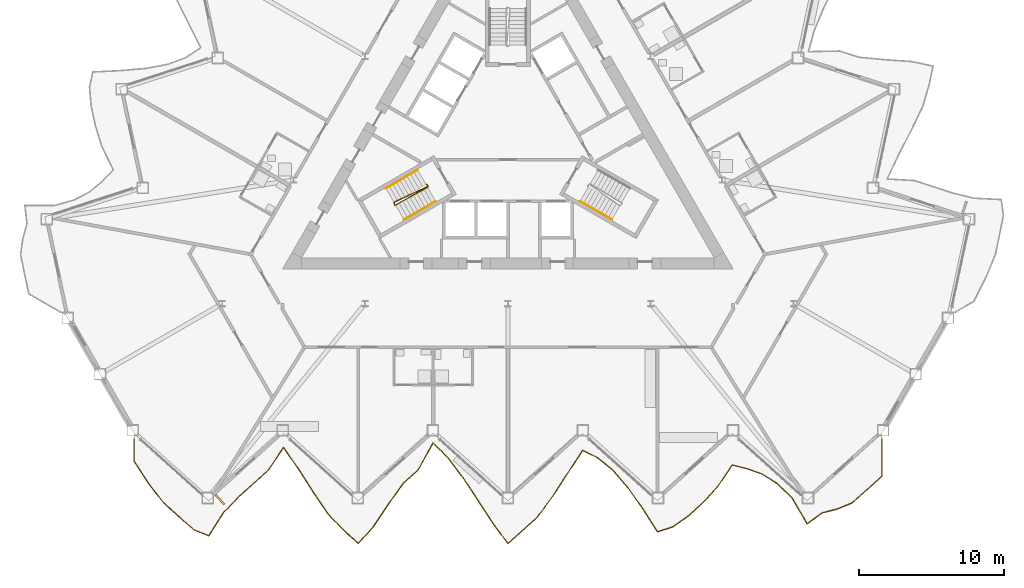
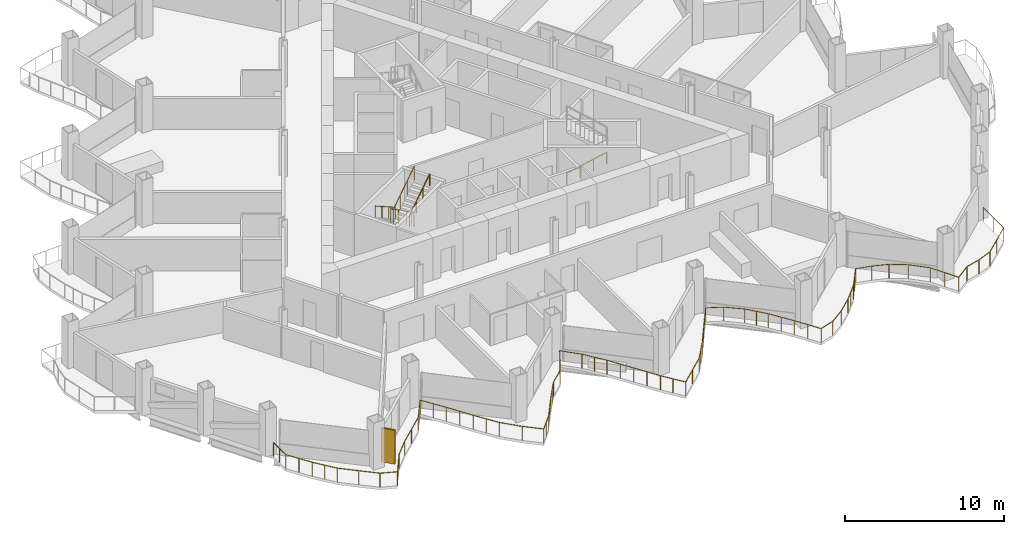
# One storey, part 20 of 24: 5 railings, 1 shading device.
"""IFC4 building model written with IfcOpenShell, lengths in metres."""

from ifc_helpers import new_model, si_unit, direction, frame, origin, origin_2d, place, context, subcontext, project, spatial, rectangle, circle, extrude, material, layer, layer_set, type_object, element, save


model = new_model("IFC4")

# Units and contexts
model_context = context("Model", 3, precision=1e-05, world=origin(), true_north=direction((0.0, 1.0)))
body_context = subcontext(model_context, "Body", "Model", "MODEL_VIEW")
ifc_project = project(units=[si_unit("LENGTHUNIT", "METRE"), si_unit("AREAUNIT", "SQUARE_METRE"), si_unit("VOLUMEUNIT", "CUBIC_METRE"), si_unit("PLANEANGLEUNIT", "RADIAN"), si_unit("MASSUNIT", "GRAM", prefix="KILO")], contexts=[model_context])

# Site, building, storey
site_placement = place(None, origin())
site = spatial("IfcSite", under=ifc_project, at=site_placement, CompositionType="ELEMENT")
building_placement = place(site_placement, origin())
building = spatial("IfcBuilding", under=site, at=building_placement, Name="Cormorant Prow Tower", CompositionType="ELEMENT")
storey_placement = place(building_placement, frame((0.0, 0.0, 201.60009765625)))
storey = spatial("IfcBuildingStorey", under=building, at=storey_placement, Name="L44", CompositionType="ELEMENT", Elevation=201.60009765625)

# Railings
ifc_material_1 = material(Name="Aluminium 6063-T6", Category="aluminium")
railing_type_1 = type_object("IfcRailingType", Name="Balcony guard 1100", PredefinedType="GUARDRAIL", material=ifc_material_1)
railing_1_placement = place(storey_placement, frame((-25.739990234375, -20.659912109375, 0.0)))
element("IfcRailing", 1, at=railing_1_placement, inside=storey, type_object=railing_type_1, Name="Balcony guard S", PredefinedType="GUARDRAIL", context=body_context, shape_type="SweptSolid", body=[
    extrude(circle(Radius=0.02392578125, at=origin_2d()), frame((0.0, 0.0, 1.076171875), z_axis=(0.0, -1.0, 0.0), x_axis=(1.0, 0.0, 0.0)), (0.0, 0.0, 1.0), 1.52001953125),
    extrude(circle(Radius=0.02392578125, at=origin_2d()), frame((0.0, -1.52001953125, 1.076171875), z_axis=(0.547340282636, -0.836910159458, 0.0), x_axis=(0.836910159458, 0.547340282636, 0.0)), (0.0, 0.0, 1.0), 1.881103515625),
    extrude(circle(Radius=0.02392578125, at=origin_2d()), frame((1.029541015625, -3.09423828125, 1.076171875), z_axis=(0.612100001234, -0.790780366783, 0.0), x_axis=(0.790780366783, 0.612100001234, 0.0)), (0.0, 0.0, 1.0), 1.681884765625),
    extrude(circle(Radius=0.02392578125, at=origin_2d()), frame((2.05908203125, -4.42431640625, 1.076171875), z_axis=(0.743145163275, -0.669130231196, 0.0), x_axis=(0.669130231196, 0.743145163275, 0.0)), (0.0, 0.0, 1.0), 1.385498046875),
    extrude(circle(Radius=0.02392578125, at=origin_2d()), frame((3.088623046875, -5.351318359375, 1.076171875), z_axis=(0.751229121914, -0.660041518685, 0.0), x_axis=(0.660041518685, 0.751229121914, 0.0)), (0.0, 0.0, 1.0), 1.370849609375),
    extrude(circle(Radius=0.02392578125, at=origin_2d()), frame((4.118408203125, -6.256103515625, 1.076171875), z_axis=(0.928916595651, -0.370289019988, 0.0), x_axis=(0.370289019988, 0.928916595651, 0.0)), (0.0, 0.0, 1.0), 1.1083984375),
    extrude(circle(Radius=0.02392578125, at=origin_2d()), frame((5.14794921875, -6.66650390625, 1.076171875), z_axis=(0.543203208133, 0.839601259333, 0.0), x_axis=(-0.839601259333, 0.543203208133, 0.0)), (0.0, 0.0, 1.0), 1.895263671875),
    extrude(circle(Radius=0.02392578125, at=origin_2d()), frame((6.177490234375, -5.0751953125, 1.076171875), z_axis=(0.692015845164, 0.721882310381, 0.0), x_axis=(-0.721882310381, 0.692015845164, 0.0)), (0.0, 0.0, 1.0), 1.48779296875),
    extrude(circle(Radius=0.02392578125, at=origin_2d()), frame((7.20703125, -4.001220703125, 1.076171875), z_axis=(0.743145163275, 0.669130231196, 0.0), x_axis=(-0.669130231196, 0.743145163275, 0.0)), (0.0, 0.0, 1.0), 1.385498046875),
    extrude(circle(Radius=0.02392578125, at=origin_2d()), frame((8.236572265625, -3.07421875, 1.076171875), z_axis=(0.743224050385, 0.669042607708, 0.0), x_axis=(-0.669042607708, 0.743224050385, 0.0)), (0.0, 0.0, 1.0), 1.385498046875),
    extrude(circle(Radius=0.02392578125, at=origin_2d()), frame((9.266357421875, -2.147216796875, 1.076171875), z_axis=(0.550865866335, 0.834593791798, 0.0), x_axis=(-0.834593791798, 0.550865866335, 0.0)), (0.0, 0.0, 1.0), 1.868896484375),
    extrude(circle(Radius=0.02392578125, at=origin_2d()), frame((10.2958984375, -0.58740234375, 1.076171875), z_axis=(0.567899734205, -0.823097741395, 0.0), x_axis=(0.823097741395, 0.567899734205, 0.0)), (0.0, 0.0, 1.0), 1.81298828125),
    extrude(circle(Radius=0.02392578125, at=origin_2d()), frame((11.325439453125, -2.07958984375, 1.076171875), z_axis=(0.541445278503, -0.840735993274, 0.0), x_axis=(0.840735993274, 0.541445278503, 0.0)), (0.0, 0.0, 1.0), 1.9013671875),
    extrude(circle(Radius=0.02392578125, at=origin_2d()), frame((12.35498046875, -3.67822265625, 1.076171875), z_axis=(0.563175237432, -0.826337492761, 0.0), x_axis=(0.826337492761, 0.563175237432, 0.0)), (0.0, 0.0, 1.0), 1.82861328125),
    extrude(circle(Radius=0.02392578125, at=origin_2d()), frame((13.384765625, -5.189208984375, 1.076171875), z_axis=(0.686953516108, -0.726701360056, 0.0), x_axis=(0.726701360056, 0.686953516108, 0.0)), (0.0, 0.0, 1.0), 1.498779296875),
    extrude(circle(Radius=0.02392578125, at=origin_2d()), frame((14.414306640625, -6.2783203125, 1.076171875), z_axis=(0.743145163275, -0.669130231196, 0.0), x_axis=(0.669130231196, 0.743145163275, 0.0)), (0.0, 0.0, 1.0), 1.385498046875),
    extrude(circle(Radius=0.02392578125, at=origin_2d()), frame((15.44384765625, -7.205322265625, 1.076171875), z_axis=(0.66601890786, 0.745934859336, 0.0), x_axis=(-0.745934859336, 0.66601890786, 0.0)), (0.0, 0.0, 1.0), 1.5458984375),
    extrude(circle(Radius=0.02392578125, at=origin_2d()), frame((16.473388671875, -6.05224609375, 1.076171875), z_axis=(0.55768672815, 0.830051512405, 0.0), x_axis=(-0.830051512405, 0.55768672815, 0.0)), (0.0, 0.0, 1.0), 1.846435546875),
    extrude(circle(Radius=0.02392578125, at=origin_2d()), frame((17.503173828125, -4.51953125, 1.076171875), z_axis=(0.580183529958, 0.814485771248, 0.0), x_axis=(-0.814485771248, 0.580183529958, 0.0)), (0.0, 0.0, 1.0), 1.7744140625),
    extrude(circle(Radius=0.02392578125, at=origin_2d()), frame((18.53271484375, -3.07421875, 1.076171875), z_axis=(0.743224050385, 0.669042607708, 0.0), x_axis=(-0.669042607708, 0.743224050385, 0.0)), (0.0, 0.0, 1.0), 1.385498046875),
    extrude(circle(Radius=0.02392578125, at=origin_2d()), frame((19.5625, -2.147216796875, 1.076171875), z_axis=(0.482511605982, 0.875889576427, 0.0), x_axis=(-0.875889576427, 0.482511605982, 0.0)), (0.0, 0.0, 1.0), 2.1337890625),
    extrude(circle(Radius=0.02392578125, at=origin_2d()), frame((20.592041015625, -0.2783203125, 1.076171875), z_axis=(0.706017702125, -0.708194185437, 0.0), x_axis=(0.708194185437, 0.706017702125, 0.0)), (0.0, 0.0, 1.0), 1.458251953125),
    extrude(circle(Radius=0.02392578125, at=origin_2d()), frame((21.62158203125, -1.31103515625, 1.076171875), z_axis=(0.60333693872, -0.79748638758, 0.0), x_axis=(0.79748638758, 0.60333693872, 0.0)), (0.0, 0.0, 1.0), 1.706298828125),
    extrude(circle(Radius=0.02392578125, at=origin_2d()), frame((22.651123046875, -2.671875, 1.076171875), z_axis=(0.549997224405, -0.835166482294, 0.0), x_axis=(0.835166482294, 0.549997224405, 0.0)), (0.0, 0.0, 1.0), 1.872314453125),
    extrude(circle(Radius=0.02392578125, at=origin_2d()), frame((23.680908203125, -4.235595703125, 1.076171875), z_axis=(0.545324664143, -0.838224916522, 0.0), x_axis=(0.838224916522, 0.545324664143, 0.0)), (0.0, 0.0, 1.0), 1.887939453125),
    extrude(circle(Radius=0.02392578125, at=origin_2d()), frame((24.71044921875, -5.818115234375, 1.076171875), z_axis=(0.59596747052, -0.803008576593, 0.0), x_axis=(0.803008576593, 0.59596747052, 0.0)), (0.0, 0.0, 1.0), 1.7275390625),
    extrude(circle(Radius=0.02392578125, at=origin_2d()), frame((25.739990234375, -7.205322265625, 1.076171875), z_axis=(0.743145163275, 0.669130231196, 0.0), x_axis=(-0.669130231196, 0.743145163275, 0.0)), (0.0, 0.0, 1.0), 1.385498046875),
    extrude(circle(Radius=0.02392578125, at=origin_2d()), frame((26.76953125, -6.2783203125, 1.076171875), z_axis=(0.743145163275, 0.669130231196, 0.0), x_axis=(-0.669130231196, 0.743145163275, 0.0)), (0.0, 0.0, 1.0), 1.385498046875),
    extrude(circle(Radius=0.02392578125, at=origin_2d()), frame((27.799072265625, -5.351318359375, 1.076171875), z_axis=(0.590683496411, 0.806903344315, 0.0), x_axis=(-0.806903344315, 0.590683496411, 0.0)), (0.0, 0.0, 1.0), 1.743408203125),
    extrude(circle(Radius=0.02392578125, at=origin_2d()), frame((28.828857421875, -3.944580078125, 1.076171875), z_axis=(0.544734060475, 0.838608850036, 0.0), x_axis=(-0.838608850036, 0.544734060475, 0.0)), (0.0, 0.0, 1.0), 1.889892578125),
    extrude(circle(Radius=0.02392578125, at=origin_2d()), frame((29.8583984375, -2.359619140625, 1.076171875), z_axis=(0.550865866335, 0.834593791798, 0.0), x_axis=(-0.834593791798, 0.550865866335, 0.0)), (0.0, 0.0, 1.0), 1.868896484375),
    extrude(circle(Radius=0.02392578125, at=origin_2d()), frame((30.887939453125, -0.7998046875, 1.076171875), z_axis=(0.898774590619, -0.438411034599, 0.0), x_axis=(0.438411034599, 0.898774590619, 0.0)), (0.0, 0.0, 1.0), 1.1455078125),
    extrude(circle(Radius=0.02392578125, at=origin_2d()), frame((31.91748046875, -1.302001953125, 1.076171875), z_axis=(0.777476611106, -0.62891185327, 0.0), x_axis=(0.62891185327, 0.777476611106, 0.0)), (0.0, 0.0, 1.0), 1.324462890625),
    extrude(circle(Radius=0.02392578125, at=origin_2d()), frame((32.947265625, -2.135009765625, 1.076171875), z_axis=(0.653991260243, -0.75650210279, 0.0), x_axis=(0.75650210279, 0.653991260243, 0.0)), (0.0, 0.0, 1.0), 1.57421875),
    extrude(circle(Radius=0.02392578125, at=origin_2d()), frame((33.976806640625, -3.325927734375, 1.076171875), z_axis=(0.573061075763, -0.819512662163, 0.0), x_axis=(0.819512662163, 0.573061075763, 0.0)), (0.0, 0.0, 1.0), 1.796875),
    extrude(circle(Radius=0.02392578125, at=origin_2d()), frame((35.006591796875, -4.798583984375, 1.076171875), z_axis=(0.541913177872, -0.840434475524, 0.0), x_axis=(0.840434475524, 0.541913177872, 0.0)), (0.0, 0.0, 1.0), 1.89990234375),
    extrude(circle(Radius=0.02392578125, at=origin_2d()), frame((36.0361328125, -6.395263671875, 1.076171875), z_axis=(0.953171851674, 0.30242920027, 0.0), x_axis=(-0.30242920027, 0.953171851674, 0.0)), (0.0, 0.0, 1.0), 1.080078125),
    extrude(circle(Radius=0.02392578125, at=origin_2d()), frame((37.065673828125, -6.068603515625, 1.076171875), z_axis=(0.820500489124, 0.571645823345, 0.0), x_axis=(-0.571645823345, 0.820500489124, 0.0)), (0.0, 0.0, 1.0), 1.2548828125),
    extrude(circle(Radius=0.02392578125, at=origin_2d()), frame((38.09521484375, -5.351318359375, 1.076171875), z_axis=(0.743224050385, 0.669042607708, 0.0), x_axis=(-0.669042607708, 0.743224050385, 0.0)), (0.0, 0.0, 1.0), 1.385498046875),
    extrude(circle(Radius=0.02392578125, at=origin_2d()), frame((39.125, -4.42431640625, 1.076171875), z_axis=(0.681690201948, 0.731640942381, 0.0), x_axis=(-0.731640942381, 0.681690201948, 0.0)), (0.0, 0.0, 1.0), 1.51025390625),
    extrude(circle(Radius=0.02392578125, at=origin_2d()), frame((40.154541015625, -3.3193359375, 1.076171875), z_axis=(0.561719643333, 0.827327651112, 0.0), x_axis=(-0.827327651112, 0.561719643333, 0.0)), (0.0, 0.0, 1.0), 1.832763671875),
    extrude(circle(Radius=0.02392578125, at=origin_2d()), frame((41.18408203125, -1.802978515625, 1.076171875), z_axis=(0.970479989709, -0.241181652648, 0.0), x_axis=(0.241181652648, 0.970479989709, 0.0)), (0.0, 0.0, 1.0), 1.060791015625),
    extrude(circle(Radius=0.02392578125, at=origin_2d()), frame((42.213623046875, -2.058837890625, 1.076171875), z_axis=(0.941630744748, -0.336647501915, 0.0), x_axis=(0.336647501915, 0.941630744748, 0.0)), (0.0, 0.0, 1.0), 1.093505859375),
    extrude(circle(Radius=0.02392578125, at=origin_2d()), frame((43.243408203125, -2.427001953125, 1.076171875), z_axis=(0.848687275997, -0.528894987271, 0.0), x_axis=(0.528894987271, 0.848687275997, 0.0)), (0.0, 0.0, 1.0), 1.213134765625),
    extrude(circle(Radius=0.02392578125, at=origin_2d()), frame((44.27294921875, -3.068603515625, 1.076171875), z_axis=(0.71808862275, -0.695951672084, 0.0), x_axis=(0.695951672084, 0.71808862275, 0.0)), (0.0, 0.0, 1.0), 1.433837890625),
    extrude(circle(Radius=0.02392578125, at=origin_2d()), frame((45.302490234375, -4.06640625, 1.076171875), z_axis=(0.49877331372, -0.86673247402, 0.0), x_axis=(0.86673247402, 0.49877331372, 0.0)), (0.0, 0.0, 1.0), 2.064208984375),
    extrude(circle(Radius=0.02392578125, at=origin_2d()), frame((46.33203125, -5.85546875, 1.076171875), z_axis=(0.805079829343, 0.593166476113, 0.0), x_axis=(-0.593166476113, 0.805079829343, 0.0)), (0.0, 0.0, 1.0), 1.27880859375),
    extrude(circle(Radius=0.02392578125, at=origin_2d()), frame((47.361572265625, -5.096923828125, 1.076171875), z_axis=(0.968527735017, 0.248905657837, 0.0), x_axis=(-0.248905657837, 0.968527735017, 0.0)), (0.0, 0.0, 1.0), 1.063232421875),
    extrude(circle(Radius=0.02392578125, at=origin_2d()), frame((48.391357421875, -4.832275390625, 1.076171875), z_axis=(0.92655513893, 0.376158975065, 0.0), x_axis=(-0.376158975065, 0.92655513893, 0.0)), (0.0, 0.0, 1.0), 1.111083984375),
    extrude(circle(Radius=0.02392578125, at=origin_2d()), frame((49.4208984375, -4.414306640625, 1.076171875), z_axis=(0.746656645329, 0.66520963161, 0.0), x_axis=(-0.66520963161, 0.746656645329, 0.0)), (0.0, 0.0, 1.0), 1.37890625),
    extrude(circle(Radius=0.02392578125, at=origin_2d()), frame((50.450439453125, -3.4970703125, 1.076171875), z_axis=(0.743145163275, 0.669130231196, 0.0), x_axis=(-0.669130231196, 0.743145163275, 0.0)), (0.0, 0.0, 1.0), 1.385498046875),
    extrude(circle(Radius=0.02392578125, at=origin_2d()), frame((51.47998046875, -2.570068359375, 1.076171875), z_axis=(0.0, 1.0, 0.0), x_axis=(-1.0, 0.0, 0.0)), (0.0, 0.0, 1.0), 2.570068359375),
    extrude(circle(Radius=0.02099609375, at=origin_2d()), origin(), (0.0, 0.0, 1.0), 1.052001953125),
    extrude(circle(Radius=0.02099609375, at=origin_2d()), frame((0.0, -0.760009765625, 0.0)), (0.0, 0.0, 1.0), 1.052001953125),
    extrude(circle(Radius=0.02099609375, at=origin_2d()), frame((0.0, -1.52001953125, 0.0)), (0.0, 0.0, 1.0), 1.052001953125),
    extrude(circle(Radius=0.02099609375, at=origin_2d()), frame((0.5146484375, -2.30712890625, 0.0)), (0.0, 0.0, 1.0), 1.052001953125),
    extrude(circle(Radius=0.02099609375, at=origin_2d()), frame((1.029541015625, -3.09423828125, 0.0)), (0.0, 0.0, 1.0), 1.052001953125),
    extrude(circle(Radius=0.02099609375, at=origin_2d()), frame((1.54443359375, -3.75927734375, 0.0)), (0.0, 0.0, 1.0), 1.052001953125),
    extrude(circle(Radius=0.02099609375, at=origin_2d()), frame((2.05908203125, -4.42431640625, 0.0)), (0.0, 0.0, 1.0), 1.052001953125),
    extrude(circle(Radius=0.02099609375, at=origin_2d()), frame((3.088623046875, -5.351318359375, 0.0)), (0.0, 0.0, 1.0), 1.052001953125),
    extrude(circle(Radius=0.02099609375, at=origin_2d()), frame((4.118408203125, -6.256103515625, 0.0)), (0.0, 0.0, 1.0), 1.052001953125),
    extrude(circle(Radius=0.02099609375, at=origin_2d()), frame((5.14794921875, -6.66650390625, 0.0)), (0.0, 0.0, 1.0), 1.052001953125),
    extrude(circle(Radius=0.02099609375, at=origin_2d()), frame((5.66259765625, -5.870849609375, 0.0)), (0.0, 0.0, 1.0), 1.052001953125),
    extrude(circle(Radius=0.02099609375, at=origin_2d()), frame((6.177490234375, -5.0751953125, 0.0)), (0.0, 0.0, 1.0), 1.052001953125),
    extrude(circle(Radius=0.02099609375, at=origin_2d()), frame((7.20703125, -4.001220703125, 0.0)), (0.0, 0.0, 1.0), 1.052001953125),
    extrude(circle(Radius=0.02099609375, at=origin_2d()), frame((8.236572265625, -3.07421875, 0.0)), (0.0, 0.0, 1.0), 1.052001953125),
    extrude(circle(Radius=0.02099609375, at=origin_2d()), frame((9.266357421875, -2.147216796875, 0.0)), (0.0, 0.0, 1.0), 1.052001953125),
    extrude(circle(Radius=0.02099609375, at=origin_2d()), frame((9.78125, -1.3671875, 0.0)), (0.0, 0.0, 1.0), 1.052001953125),
    extrude(circle(Radius=0.02099609375, at=origin_2d()), frame((10.2958984375, -0.58740234375, 0.0)), (0.0, 0.0, 1.0), 1.052001953125),
    extrude(circle(Radius=0.02099609375, at=origin_2d()), frame((10.810546875, -1.33349609375, 0.0)), (0.0, 0.0, 1.0), 1.052001953125),
    extrude(circle(Radius=0.02099609375, at=origin_2d()), frame((11.325439453125, -2.07958984375, 0.0)), (0.0, 0.0, 1.0), 1.052001953125),
    extrude(circle(Radius=0.02099609375, at=origin_2d()), frame((11.84033203125, -2.87890625, 0.0)), (0.0, 0.0, 1.0), 1.052001953125),
    extrude(circle(Radius=0.02099609375, at=origin_2d()), frame((12.35498046875, -3.67822265625, 0.0)), (0.0, 0.0, 1.0), 1.052001953125),
    extrude(circle(Radius=0.02099609375, at=origin_2d()), frame((12.869873046875, -4.43359375, 0.0)), (0.0, 0.0, 1.0), 1.052001953125),
    extrude(circle(Radius=0.02099609375, at=origin_2d()), frame((13.384765625, -5.189208984375, 0.0)), (0.0, 0.0, 1.0), 1.052001953125),
    extrude(circle(Radius=0.02099609375, at=origin_2d()), frame((14.414306640625, -6.2783203125, 0.0)), (0.0, 0.0, 1.0), 1.052001953125),
    extrude(circle(Radius=0.02099609375, at=origin_2d()), frame((15.44384765625, -7.205322265625, 0.0)), (0.0, 0.0, 1.0), 1.052001953125),
    extrude(circle(Radius=0.02099609375, at=origin_2d()), frame((15.95849609375, -6.62890625, 0.0)), (0.0, 0.0, 1.0), 1.052001953125),
    extrude(circle(Radius=0.02099609375, at=origin_2d()), frame((16.473388671875, -6.05224609375, 0.0)), (0.0, 0.0, 1.0), 1.052001953125),
    extrude(circle(Radius=0.02099609375, at=origin_2d()), frame((16.98828125, -5.285888671875, 0.0)), (0.0, 0.0, 1.0), 1.052001953125),
    extrude(circle(Radius=0.02099609375, at=origin_2d()), frame((17.503173828125, -4.51953125, 0.0)), (0.0, 0.0, 1.0), 1.052001953125),
    extrude(circle(Radius=0.02099609375, at=origin_2d()), frame((18.01806640625, -3.796875, 0.0)), (0.0, 0.0, 1.0), 1.052001953125),
    extrude(circle(Radius=0.02099609375, at=origin_2d()), frame((18.53271484375, -3.07421875, 0.0)), (0.0, 0.0, 1.0), 1.052001953125),
    extrude(circle(Radius=0.02099609375, at=origin_2d()), frame((19.5625, -2.147216796875, 0.0)), (0.0, 0.0, 1.0), 1.052001953125),
    extrude(circle(Radius=0.02099609375, at=origin_2d()), frame((20.0771484375, -1.212890625, 0.0)), (0.0, 0.0, 1.0), 1.052001953125),
    extrude(circle(Radius=0.02099609375, at=origin_2d()), frame((20.592041015625, -0.2783203125, 0.0)), (0.0, 0.0, 1.0), 1.052001953125),
    extrude(circle(Radius=0.02099609375, at=origin_2d()), frame((21.62158203125, -1.31103515625, 0.0)), (0.0, 0.0, 1.0), 1.052001953125),
    extrude(circle(Radius=0.02099609375, at=origin_2d()), frame((22.13623046875, -1.991455078125, 0.0)), (0.0, 0.0, 1.0), 1.052001953125),
    extrude(circle(Radius=0.02099609375, at=origin_2d()), frame((22.651123046875, -2.671875, 0.0)), (0.0, 0.0, 1.0), 1.052001953125),
    extrude(circle(Radius=0.02099609375, at=origin_2d()), frame((23.166015625, -3.45361328125, 0.0)), (0.0, 0.0, 1.0), 1.052001953125),
    extrude(circle(Radius=0.02099609375, at=origin_2d()), frame((23.680908203125, -4.235595703125, 0.0)), (0.0, 0.0, 1.0), 1.052001953125),
    extrude(circle(Radius=0.02099609375, at=origin_2d()), frame((24.19580078125, -5.02685546875, 0.0)), (0.0, 0.0, 1.0), 1.052001953125),
    extrude(circle(Radius=0.02099609375, at=origin_2d()), frame((24.71044921875, -5.818115234375, 0.0)), (0.0, 0.0, 1.0), 1.052001953125),
    extrude(circle(Radius=0.02099609375, at=origin_2d()), frame((25.22509765625, -6.51171875, 0.0)), (0.0, 0.0, 1.0), 1.052001953125),
    extrude(circle(Radius=0.02099609375, at=origin_2d()), frame((25.739990234375, -7.205322265625, 0.0)), (0.0, 0.0, 1.0), 1.052001953125),
    extrude(circle(Radius=0.02099609375, at=origin_2d()), frame((26.76953125, -6.2783203125, 0.0)), (0.0, 0.0, 1.0), 1.052001953125),
    extrude(circle(Radius=0.02099609375, at=origin_2d()), frame((27.799072265625, -5.351318359375, 0.0)), (0.0, 0.0, 1.0), 1.052001953125),
    extrude(circle(Radius=0.02099609375, at=origin_2d()), frame((28.31396484375, -4.64794921875, 0.0)), (0.0, 0.0, 1.0), 1.052001953125),
    extrude(circle(Radius=0.02099609375, at=origin_2d()), frame((28.828857421875, -3.944580078125, 0.0)), (0.0, 0.0, 1.0), 1.052001953125),
    extrude(circle(Radius=0.02099609375, at=origin_2d()), frame((29.34375, -3.152099609375, 0.0)), (0.0, 0.0, 1.0), 1.052001953125),
    extrude(circle(Radius=0.02099609375, at=origin_2d()), frame((29.8583984375, -2.359619140625, 0.0)), (0.0, 0.0, 1.0), 1.052001953125),
    extrude(circle(Radius=0.02099609375, at=origin_2d()), frame((30.373046875, -1.57958984375, 0.0)), (0.0, 0.0, 1.0), 1.052001953125),
    extrude(circle(Radius=0.02099609375, at=origin_2d()), frame((30.887939453125, -0.7998046875, 0.0)), (0.0, 0.0, 1.0), 1.052001953125),
    extrude(circle(Radius=0.02099609375, at=origin_2d()), frame((31.91748046875, -1.302001953125, 0.0)), (0.0, 0.0, 1.0), 1.052001953125),
    extrude(circle(Radius=0.02099609375, at=origin_2d()), frame((32.947265625, -2.135009765625, 0.0)), (0.0, 0.0, 1.0), 1.052001953125),
    extrude(circle(Radius=0.02099609375, at=origin_2d()), frame((33.4619140625, -2.73046875, 0.0)), (0.0, 0.0, 1.0), 1.052001953125),
    extrude(circle(Radius=0.02099609375, at=origin_2d()), frame((33.976806640625, -3.325927734375, 0.0)), (0.0, 0.0, 1.0), 1.052001953125),
    extrude(circle(Radius=0.02099609375, at=origin_2d()), frame((34.49169921875, -4.062255859375, 0.0)), (0.0, 0.0, 1.0), 1.052001953125),
    extrude(circle(Radius=0.02099609375, at=origin_2d()), frame((35.006591796875, -4.798583984375, 0.0)), (0.0, 0.0, 1.0), 1.052001953125),
    extrude(circle(Radius=0.02099609375, at=origin_2d()), frame((35.521484375, -5.596923828125, 0.0)), (0.0, 0.0, 1.0), 1.052001953125),
    extrude(circle(Radius=0.02099609375, at=origin_2d()), frame((36.0361328125, -6.395263671875, 0.0)), (0.0, 0.0, 1.0), 1.052001953125),
    extrude(circle(Radius=0.02099609375, at=origin_2d()), frame((37.065673828125, -6.068603515625, 0.0)), (0.0, 0.0, 1.0), 1.052001953125),
    extrude(circle(Radius=0.02099609375, at=origin_2d()), frame((38.09521484375, -5.351318359375, 0.0)), (0.0, 0.0, 1.0), 1.052001953125),
    extrude(circle(Radius=0.02099609375, at=origin_2d()), frame((39.125, -4.42431640625, 0.0)), (0.0, 0.0, 1.0), 1.052001953125),
    extrude(circle(Radius=0.02099609375, at=origin_2d()), frame((39.6396484375, -3.871826171875, 0.0)), (0.0, 0.0, 1.0), 1.052001953125),
    extrude(circle(Radius=0.02099609375, at=origin_2d()), frame((40.154541015625, -3.3193359375, 0.0)), (0.0, 0.0, 1.0), 1.052001953125),
    extrude(circle(Radius=0.02099609375, at=origin_2d()), frame((40.66943359375, -2.56103515625, 0.0)), (0.0, 0.0, 1.0), 1.052001953125),
    extrude(circle(Radius=0.02099609375, at=origin_2d()), frame((41.18408203125, -1.802978515625, 0.0)), (0.0, 0.0, 1.0), 1.052001953125),
    extrude(circle(Radius=0.02099609375, at=origin_2d()), frame((42.213623046875, -2.058837890625, 0.0)), (0.0, 0.0, 1.0), 1.052001953125),
    extrude(circle(Radius=0.02099609375, at=origin_2d()), frame((43.243408203125, -2.427001953125, 0.0)), (0.0, 0.0, 1.0), 1.052001953125),
    extrude(circle(Radius=0.02099609375, at=origin_2d()), frame((44.27294921875, -3.068603515625, 0.0)), (0.0, 0.0, 1.0), 1.052001953125),
    extrude(circle(Radius=0.02099609375, at=origin_2d()), frame((45.302490234375, -4.06640625, 0.0)), (0.0, 0.0, 1.0), 1.052001953125),
    extrude(circle(Radius=0.02099609375, at=origin_2d()), frame((45.8173828125, -4.9609375, 0.0)), (0.0, 0.0, 1.0), 1.052001953125),
    extrude(circle(Radius=0.02099609375, at=origin_2d()), frame((46.33203125, -5.85546875, 0.0)), (0.0, 0.0, 1.0), 1.052001953125),
    extrude(circle(Radius=0.02099609375, at=origin_2d()), frame((47.361572265625, -5.096923828125, 0.0)), (0.0, 0.0, 1.0), 1.052001953125),
    extrude(circle(Radius=0.02099609375, at=origin_2d()), frame((48.391357421875, -4.832275390625, 0.0)), (0.0, 0.0, 1.0), 1.052001953125),
    extrude(circle(Radius=0.02099609375, at=origin_2d()), frame((49.4208984375, -4.414306640625, 0.0)), (0.0, 0.0, 1.0), 1.052001953125),
    extrude(circle(Radius=0.02099609375, at=origin_2d()), frame((50.450439453125, -3.4970703125, 0.0)), (0.0, 0.0, 1.0), 1.052001953125),
    extrude(circle(Radius=0.02099609375, at=origin_2d()), frame((51.47998046875, -2.570068359375, 0.0)), (0.0, 0.0, 1.0), 1.052001953125),
    extrude(circle(Radius=0.02099609375, at=origin_2d()), frame((51.47998046875, -1.28515625, 0.0)), (0.0, 0.0, 1.0), 1.052001953125),
    extrude(circle(Radius=0.02099609375, at=origin_2d()), frame((51.47998046875, 0.0, 0.0)), (0.0, 0.0, 1.0), 1.052001953125),
])
ifc_material_2 = material(Name="Stainless steel", Category="steel")
railing_type_2 = type_object("IfcRailingType", Name="Stair guard 1100", PredefinedType="GUARDRAIL", material=ifc_material_2)
railing_2_placement = place(storey_placement, frame((-5.585205078125, -3.137939453125, 0.0)))
element("IfcRailing", 2, at=railing_2_placement, inside=storey, type_object=railing_type_2, Name="L44 ST1 stair guard 1", PredefinedType="GUARDRAIL", context=body_context, shape_type="SweptSolid", body=[
    extrude(circle(Radius=0.02392578125, at=origin_2d()), frame((0.0, 0.0, 1.076171875), z_axis=(0.501036270542, -0.865426285481, 0.0), x_axis=(0.865426285481, 0.501036270542, 0.0)), (0.0, 0.0, 1.0), 0.150146484375),
    extrude(circle(Radius=0.02392578125, at=origin_2d()), frame((0.0751953125, -0.1298828125, 1.076171875), z_axis=(-0.739739923809, -0.353640102144, 0.572471416997), x_axis=(0.431308035802, -0.902204731895, 0.0)), (0.0, 0.0, 1.0), 3.143798828125),
    extrude(circle(Radius=0.02392578125, at=origin_2d()), frame((-2.25048828125, -1.24169921875, 2.8759765625), z_axis=(0.274721127897, -0.961523947641, 0.0), x_axis=(0.961523947641, 0.274721127897, 0.0)), (0.0, 0.0, 1.0), 0.2060546875),
    extrude(circle(Radius=0.02392578125, at=origin_2d()), frame((-2.19384765625, -1.43994140625, 2.8759765625), z_axis=(0.717223475266, 0.39568267656, 0.573607623727), x_axis=(-0.483052234887, 0.87559153626, 0.0)), (0.0, 0.0, 1.0), 3.13818359375),
    extrude(circle(Radius=0.02099609375, at=origin_2d()), origin(), (0.0, 0.0, 1.0), 1.052001953125),
    extrude(circle(Radius=0.02099609375, at=origin_2d()), frame((0.0751953125, -0.1298828125, 0.0)), (0.0, 0.0, 1.0), 1.052001953125),
    extrude(circle(Radius=0.02099609375, at=origin_2d()), frame((-0.699951171875, -0.50048828125, 0.599853515625)), (0.0, 0.0, 1.0), 1.052001953125),
    extrude(circle(Radius=0.02099609375, at=origin_2d()), frame((-1.475341796875, -0.87109375, 1.199951171875)), (0.0, 0.0, 1.0), 1.052001953125),
    extrude(circle(Radius=0.02099609375, at=origin_2d()), frame((-2.25048828125, -1.24169921875, 1.7998046875)), (0.0, 0.0, 1.0), 1.052001953125),
    extrude(circle(Radius=0.02099609375, at=origin_2d()), frame((-2.19384765625, -1.43994140625, 1.7998046875)), (0.0, 0.0, 1.0), 1.052001953125),
    extrude(circle(Radius=0.02099609375, at=origin_2d()), frame((-1.443603515625, -1.026123046875, 2.39990234375)), (0.0, 0.0, 1.0), 1.052001953125),
    extrude(circle(Radius=0.02099609375, at=origin_2d()), frame((-0.693359375, -0.612060546875, 2.999755859375)), (0.0, 0.0, 1.0), 1.052001953125),
    extrude(circle(Radius=0.02099609375, at=origin_2d()), frame((0.056884765625, -0.1982421875, 3.599853515625)), (0.0, 0.0, 1.0), 1.052001953125),
])
ifc_material_3 = material(Name="Stainless steel", Category="steel")
railing_type_3 = type_object("IfcRailingType", Name="Stair handrail 900", PredefinedType="HANDRAIL", material=ifc_material_3)
railing_3_placement = place(storey_placement, frame((-6.212890625, -2.150634765625, 0.179931640625)))
element("IfcRailing", 3, at=railing_3_placement, inside=storey, type_object=railing_type_3, Name="L44 ST1 stair handrail 1", PredefinedType="HANDRAIL", context=body_context, shape_type="SweptSolid", body=[
    extrude(circle(Radius=0.02392578125, at=origin_2d()), frame((0.0, 0.0, 0.8759765625), z_axis=(-0.72849590497, -0.42060268101, 0.54072830624), x_axis=(0.500004791531, -0.866022637375, 0.0)), (0.0, 0.0, 1.0), 2.99560546875),
    extrude(circle(Radius=0.02099609375, at=origin_2d()), origin(), (0.0, 0.0, 1.0), 0.851806640625),
    extrude(circle(Radius=0.02099609375, at=origin_2d()), frame((-0.7275390625, -0.419921875, 0.5400390625)), (0.0, 0.0, 1.0), 0.851806640625),
    extrude(circle(Radius=0.02099609375, at=origin_2d()), frame((-1.454833984375, -0.840087890625, 1.079833984375)), (0.0, 0.0, 1.0), 0.851806640625),
    extrude(circle(Radius=0.02099609375, at=origin_2d()), frame((-2.182373046875, -1.260009765625, 1.619873046875)), (0.0, 0.0, 1.0), 0.851806640625),
])
railing_4_placement = place(storey_placement, frame((-7.1513671875, -5.565185546875, 1.97998046875)))
element("IfcRailing", 4, at=railing_4_placement, inside=storey, type_object=railing_type_3, Name="L44 ST1 stair handrail 2", PredefinedType="HANDRAIL", context=body_context, shape_type="SweptSolid", body=[
    extrude(circle(Radius=0.02392578125, at=origin_2d()), frame((0.0, 0.0, 0.8759765625), z_axis=(0.72849590497, 0.42060268101, 0.54072830624), x_axis=(-0.500004791531, 0.866022637375, 0.0)), (0.0, 0.0, 1.0), 2.99560546875),
    extrude(circle(Radius=0.02099609375, at=origin_2d()), origin(), (0.0, 0.0, 1.0), 0.851806640625),
    extrude(circle(Radius=0.02099609375, at=origin_2d()), frame((0.7275390625, 0.419921875, 0.5400390625)), (0.0, 0.0, 1.0), 0.851806640625),
    extrude(circle(Radius=0.02099609375, at=origin_2d()), frame((1.454833984375, 0.840087890625, 1.079833984375)), (0.0, 0.0, 1.0), 0.851806640625),
    extrude(circle(Radius=0.02099609375, at=origin_2d()), frame((2.182373046875, 1.260009765625, 1.619873046875)), (0.0, 0.0, 1.0), 0.851806640625),
])
railing_5_placement = place(storey_placement, frame((4.968994140625, -4.30517578125, 0.179931640625)))
element("IfcRailing", 5, at=railing_5_placement, inside=storey, type_object=railing_type_3, Name="L44 ST2 stair handrail 1", PredefinedType="HANDRAIL", context=body_context, shape_type="SweptSolid", body=[
    extrude(circle(Radius=0.02392578125, at=origin_2d()), frame((0.0, 0.0, 0.8759765625), z_axis=(0.72849590497, -0.42060268101, 0.54072830624), x_axis=(0.500004791531, 0.866022637375, 0.0)), (0.0, 0.0, 1.0), 2.99560546875),
    extrude(circle(Radius=0.02099609375, at=origin_2d()), origin(), (0.0, 0.0, 1.0), 0.851806640625),
    extrude(circle(Radius=0.02099609375, at=origin_2d()), frame((0.7275390625, -0.419921875, 0.5400390625)), (0.0, 0.0, 1.0), 0.851806640625),
    extrude(circle(Radius=0.02099609375, at=origin_2d()), frame((1.454833984375, -0.840087890625, 1.079833984375)), (0.0, 0.0, 1.0), 0.851806640625),
    extrude(circle(Radius=0.02099609375, at=origin_2d()), frame((2.182373046875, -1.260009765625, 1.619873046875)), (0.0, 0.0, 1.0), 0.851806640625),
])

# Shading device
ifc_material_4 = material(Name="Terracotta", Category="masonry")
ifc_layer = layer(ifc_material_4, 0.1201171875)
ifc_layer_set = layer_set([ifc_layer], Name="Terracotta")
shading_device_type = type_object("IfcShadingDeviceType", Name="Terracotta baguette fin 120x900x2600", PredefinedType="USERDEFINED", material=ifc_layer_set)
shading_device_placement = place(storey_placement, frame((-19.82421875, -24.82958984375, -0.000244140625), z_axis=(0.0, 0.0, 1.0), x_axis=(0.743144770308, 0.669130667631, 0.0)))
element("IfcShadingDevice", 6, at=shading_device_placement, inside=storey, type_object=shading_device_type, Name="Baguette fin S01", ObjectType="BAGUETTE", PredefinedType="USERDEFINED", context=body_context, shape_type="SweptSolid", body=[
    extrude(rectangle(XDim=0.1201171875, YDim=0.89990234375, at=origin_2d()), origin(), (0.0, 0.0, 1.0), 2.60009765625),
])

save(model, "model.ifc")
